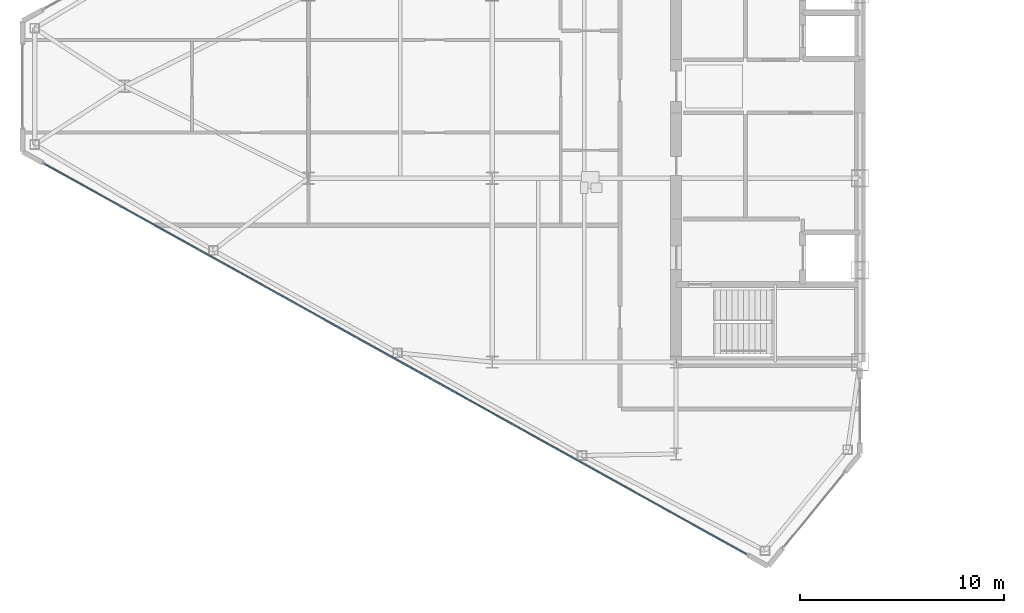
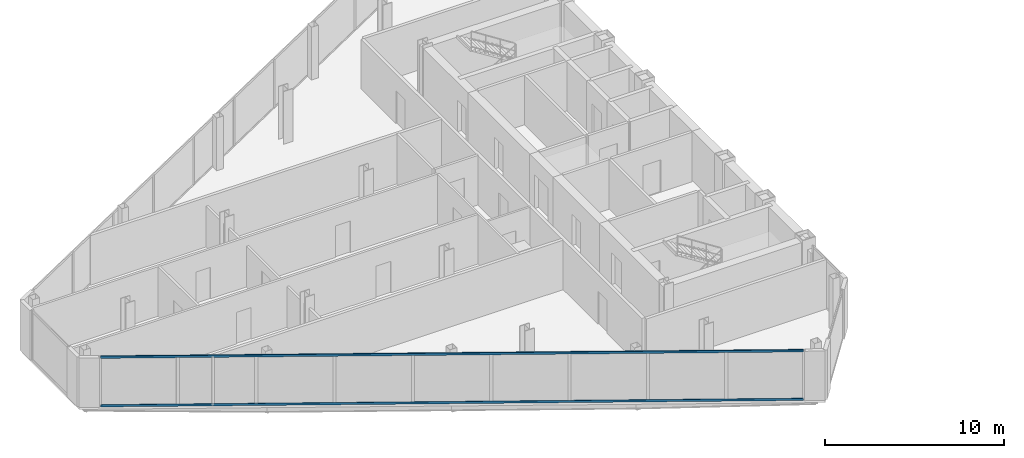
# One storey, part 4 of 25: 2 members, 1 element without a shape of its own.
"""IFC4 building model written with IfcOpenShell, lengths in metres."""

from ifc_helpers import new_model, si_unit, direction, frame, origin, origin_2d, place, context, subcontext, project, spatial, rectangle, extrude, source, transform, mapped, material, layer, layer_set, material_profile, profile_set, type_object, type_shapes, element, aggregate, save


model = new_model("IFC4")

# Units and contexts
model_context = context("Model", 3, precision=1e-05, world=origin(), true_north=direction((0.0, 1.0)))
body_context = subcontext(model_context, "Body", "Model", "MODEL_VIEW")
ifc_project = project(units=[si_unit("LENGTHUNIT", "METRE"), si_unit("AREAUNIT", "SQUARE_METRE"), si_unit("VOLUMEUNIT", "CUBIC_METRE"), si_unit("PLANEANGLEUNIT", "RADIAN"), si_unit("MASSUNIT", "GRAM", prefix="KILO")], contexts=[model_context])

# Site, building, storey
site_placement = place(None, origin())
site = spatial("IfcSite", under=ifc_project, at=site_placement, CompositionType="ELEMENT")
building_placement = place(site_placement, origin())
building = spatial("IfcBuilding", under=site, at=building_placement, Name="Seokmaru Belvedere", CompositionType="ELEMENT")
storey_placement = place(building_placement, frame((0.0, 0.0, 188.699951171875)))
storey = spatial("IfcBuildingStorey", under=building, at=storey_placement, Name="L50", CompositionType="ELEMENT", Elevation=188.699951171875)

# Curtain wall, members
ifc_material_1 = material(Name="Bronze Triple Insulating Glass", Category="glass")
ifc_layer = layer(ifc_material_1, 0.179931640625)
ifc_layer_set = layer_set([ifc_layer], Name="Bronze Triple Insulating Glass")
curtain_wall_type = type_object("IfcCurtainWallType", Name="High-Rise Wind-Corner Curtain Wall System CW-5", PredefinedType="NOTDEFINED", material=ifc_layer_set)
curtain_wall_placement = place(storey_placement, origin())
curtain_wall = element("IfcCurtainWall", 1, at=curtain_wall_placement, inside=storey, type_object=curtain_wall_type, Name="L50 Curtain Wall WF5", PredefinedType="NOTDEFINED")
ifc_material_2 = material(Name="Anodised Bronze Aluminium", Category="aluminium")
ifc_material_profile = material_profile(ifc_material_2, rectangle(XDim=0.06494140625, YDim=0.14990234375, at=origin_2d()), Name="CW-T-65x150")
ifc_profile_set = profile_set([ifc_material_profile], Name="Anodised Bronze Aluminium")
member_type = type_object("IfcMemberType", Name="Bronze Unitised Transom 65x150", PredefinedType="USERDEFINED", material=ifc_profile_set)
shared_shape = source(origin(), body_context, "Body", "SweptSolid", [
    extrude(rectangle(XDim=0.06494140625, YDim=0.14990234375, at=origin_2d()), origin(), (0.0, 0.0, 1.0), 39.33544921875),
])
type_shapes(member_type, [shared_shape])
member_1_placement = place(storey_placement, frame((-67.438232421875, -3.79052734375, 0.032470703125), z_axis=(0.873932045133, -0.486048125693, 0.0), x_axis=(0.486048125693, 0.873932045133, 0.0)))
member_1 = element("IfcMember", 2, at=member_1_placement, type_object=member_type, Name="CW:L50:WF5 Continuous Transom 1", ObjectType="TRANSOM", PredefinedType="USERDEFINED", context=body_context, shape_type="MappedRepresentation", body=[
    mapped(shared_shape, transform((0.0, 0.0, 0.0), scale=1.0)),
])
member_2_placement = place(storey_placement, frame((-67.438232421875, -3.79052734375, 3.34765625), z_axis=(0.873932045133, -0.486048125693, 0.0), x_axis=(0.486048125693, 0.873932045133, 0.0)))
member_2 = element("IfcMember", 3, at=member_2_placement, type_object=member_type, Name="CW:L50:WF5 Continuous Transom 2", ObjectType="TRANSOM", PredefinedType="USERDEFINED", context=body_context, shape_type="MappedRepresentation", body=[
    mapped(shared_shape, transform((0.0, 0.0, 0.0), scale=1.0)),
])
aggregate(curtain_wall, [member_1, member_2])

save(model, "model.ifc")
